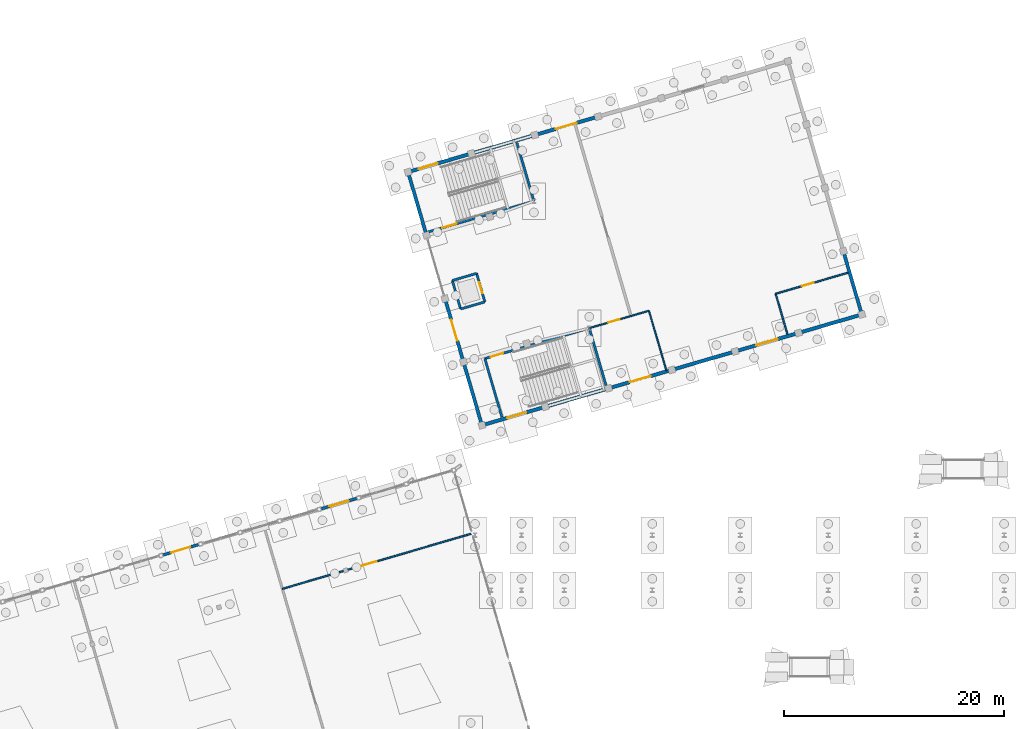
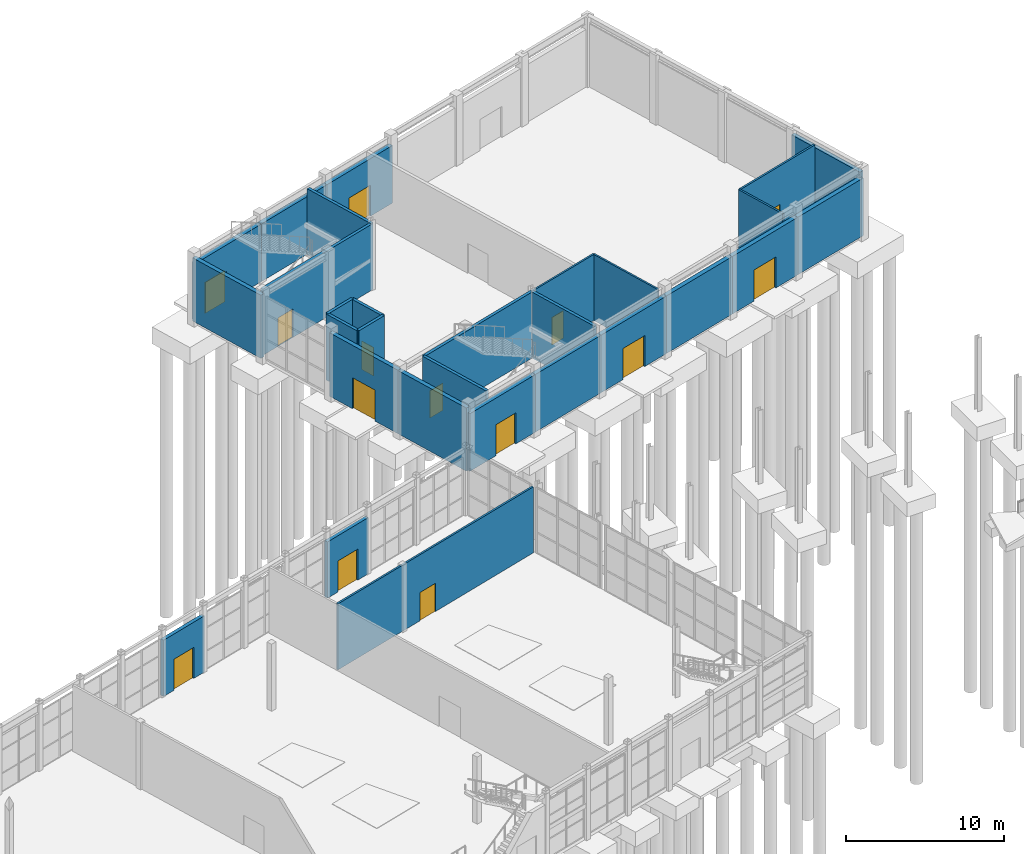
# One storey, part 74 of 90: 29 walls, 14 doors, 14 openings.
"""IFC4 building model written with IfcOpenShell, lengths in metres."""

from ifc_helpers import new_model, si_unit, direction, frame, frame_2d, origin, place, context, subcontext, project, spatial, rectangle, extrude, material, layer, layer_set, type_object, element, fill, save


model = new_model("IFC4")

# Units and contexts
model_context = context("Model", 3, precision=1e-05, world=origin(), true_north=direction((0.0, 1.0)))
body_context = subcontext(model_context, "Body", "Model", "MODEL_VIEW")
ifc_project = project(units=[si_unit("LENGTHUNIT", "METRE"), si_unit("AREAUNIT", "SQUARE_METRE"), si_unit("VOLUMEUNIT", "CUBIC_METRE"), si_unit("PLANEANGLEUNIT", "RADIAN"), si_unit("MASSUNIT", "GRAM", prefix="KILO")], contexts=[model_context])

# Site, building, storey
site_placement = place(None, origin())
site = spatial("IfcSite", under=ifc_project, at=site_placement, CompositionType="ELEMENT")
building_placement = place(site_placement, origin())
building = spatial("IfcBuilding", under=site, at=building_placement, Name="Canggui Botanical Conservatory", CompositionType="ELEMENT")
storey_placement = place(building_placement, origin())
storey = spatial("IfcBuildingStorey", under=building, at=storey_placement, Name="L01", CompositionType="ELEMENT", Elevation=0.0)

# Wall, opening, door
ifc_material_1 = material(Name="Precast Concrete C40", Category="concrete")
ifc_layer_1 = layer(ifc_material_1, 0.260009765625, Name="Precast Concrete C40", Category="concrete")
ifc_layer_set_1 = layer_set([ifc_layer_1], Name="Precast Concrete C40")
wall_type_1 = type_object("IfcWallType", Name="EW-260", PredefinedType="STANDARD", material=ifc_layer_set_1)
wall_1_placement = place(storey_placement, frame((36.800048828125, 78.14990234375, 0.0), z_axis=(0.0, 0.0, 1.0), x_axis=(0.959993437014, 0.280022500685, 0.0)))
wall_1 = element("IfcWall", 1, at=wall_1_placement, inside=storey, type_object=wall_type_1, Name="Conservatory Entrance Portal Wall V1-8", PredefinedType="STANDARD", context=body_context, shape_type="SweptSolid", body=[
    extrude(rectangle(XDim=3.749755859375, YDim=0.260009765625, at=frame_2d((1.875, 0.0))), origin(), (0.0, 0.0, 1.0), 4.35009765625),
])
opening_1_placement = place(wall_1_placement, frame((0.97509765625, 0.0, 0.0)))
opening_1 = element("IfcOpeningElement", 2, at=opening_1_placement, cuts=wall_1, Name="Opening EX-B", PredefinedType="OPENING", context=body_context, shape_type="SweptSolid", body=[
    extrude(rectangle(XDim=1.800048828125, YDim=2.39990234375, at=frame_2d((0.89990234375, 1.199951171875))), frame((0.0, 0.14013671875, 0.0), z_axis=(0.0, -1.0, 0.0), x_axis=(1.0, 0.0, 0.0)), (0.0, 0.0, 1.0), 0.280029296875),
])
ifc_material_2 = material(Name="Anodised Aluminium", Category="aluminium")
door_type_1 = type_object("IfcDoorType", Name="EDR-EX18", OperationType="NOTDEFINED", PredefinedType="DOOR", material=ifc_material_2)
door_1_placement = place(opening_1_placement, origin())
door_1 = element("IfcDoor", 3, at=door_1_placement, inside=storey, type_object=door_type_1, Name="Conservatory Biome Exit Door EX-18", OperationType="DOUBLE_DOOR_SINGLE_SWING", OverallHeight=2.39990234375, OverallWidth=1.800048828125, PredefinedType="DOOR", context=body_context, shape_type="SweptSolid", body=[
    extrude(rectangle(XDim=1.800048828125, YDim=2.39990234375, at=frame_2d((0.89990234375, 1.199951171875))), frame((0.0, 0.02490234375, 0.0), z_axis=(0.0, -1.0, 0.0), x_axis=(1.0, 0.0, 0.0)), (0.0, 0.0, 1.0), 0.050048828125),
])
fill(opening_1, door_1)

wall_2_placement = place(storey_placement, frame((51.199951171875, 82.35009765625, 0.0), z_axis=(0.0, 0.0, 1.0), x_axis=(0.960016039924, 0.279945000113, 0.0)))
wall_2 = element("IfcWall", 4, at=wall_2_placement, inside=storey, type_object=wall_type_1, Name="Conservatory Entrance Portal Wall V1-12", PredefinedType="STANDARD", context=body_context, shape_type="SweptSolid", body=[
    extrude(rectangle(XDim=3.75, YDim=0.260009765625, at=frame_2d((1.875, 0.0))), origin(), (0.0, 0.0, 1.0), 4.35009765625),
])
opening_2_placement = place(wall_2_placement, frame((0.97509765625, 0.0, 0.0)))
opening_2 = element("IfcOpeningElement", 5, at=opening_2_placement, cuts=wall_2, Name="Opening EX-B", PredefinedType="OPENING", context=body_context, shape_type="SweptSolid", body=[
    extrude(rectangle(XDim=1.800048828125, YDim=2.39990234375, at=frame_2d((0.89990234375, 1.199951171875))), frame((0.0, 0.14013671875, 0.0), z_axis=(0.0, -1.0, 0.0), x_axis=(1.0, 0.0, 0.0)), (0.0, 0.0, 1.0), 0.280029296875),
])
door_2_placement = place(opening_2_placement, origin())
door_2 = element("IfcDoor", 6, at=door_2_placement, inside=storey, type_object=door_type_1, Name="Conservatory Biome Exit Door EX-19", OperationType="DOUBLE_DOOR_SINGLE_SWING", OverallHeight=2.39990234375, OverallWidth=1.800048828125, PredefinedType="DOOR", context=body_context, shape_type="SweptSolid", body=[
    extrude(rectangle(XDim=1.800048828125, YDim=2.39990234375, at=frame_2d((0.89990234375, 1.199951171875))), frame((0.0, 0.02490234375, 0.0), z_axis=(0.0, -1.0, 0.0), x_axis=(1.0, 0.0, 0.0)), (0.0, 0.0, 1.0), 0.050048828125),
])
fill(opening_2, door_2)

# Wall
ifc_layer_2 = layer(ifc_material_1, 0.300048828125, Name="Precast Concrete C40", Category="concrete")
ifc_layer_set_2 = layer_set([ifc_layer_2], Name="Precast Concrete C40")
wall_type_2 = type_object("IfcWallType", Name="EW-300", PredefinedType="STANDARD", material=ifc_layer_set_2)
wall_3_placement = place(storey_placement, frame((66.0, 90.0, 0.0), z_axis=(0.0, 0.0, 1.0), x_axis=(-0.279989062464, 0.960003190047, 0.0)))
element("IfcWall", 7, at=wall_3_placement, inside=storey, type_object=wall_type_2, Name="Auditorium End Wall L01-W-0", PredefinedType="STANDARD", context=body_context, shape_type="SweptSolid", body=[
    extrude(rectangle(XDim=6.0, YDim=0.300048828125, at=frame_2d((3.0, 0.0))), origin(), (0.0, 0.0, 1.0), 4.8798828125),
])

# Wall, opening, door
wall_4_placement = place(storey_placement, frame((64.320068359375, 95.760009765625, 0.0), z_axis=(0.0, 0.0, 1.0), x_axis=(-0.280026562133, 0.959992252312, 0.0)))
wall_4 = element("IfcWall", 8, at=wall_4_placement, inside=storey, type_object=wall_type_2, Name="Auditorium Foyer Main Entrance Wall", PredefinedType="STANDARD", context=body_context, shape_type="SweptSolid", body=[
    extrude(rectangle(XDim=6.0, YDim=0.300048828125, at=frame_2d((3.0, 0.0))), origin(), (0.0, 0.0, 1.0), 4.89990234375),
])
opening_3_placement = place(wall_4_placement, frame((2.0, 0.0, 0.0)))
opening_3 = element("IfcOpeningElement", 9, at=opening_3_placement, cuts=wall_4, Name="Opening EX-A", PredefinedType="OPENING", context=body_context, shape_type="SweptSolid", body=[
    extrude(rectangle(XDim=2.0, YDim=2.39990234375, at=frame_2d((1.0, 1.199951171875))), frame((0.0, 0.16015625, 0.0), z_axis=(0.0, -1.0, 0.0), x_axis=(1.0, 0.0, 0.0)), (0.0, 0.0, 1.0), 0.320068359375),
])
door_type_2 = type_object("IfcDoorType", Name="EDR-EX20", OperationType="NOTDEFINED", PredefinedType="DOOR", material=ifc_material_2)
door_3_placement = place(opening_3_placement, origin())
door_3 = element("IfcDoor", 10, at=door_3_placement, inside=storey, type_object=door_type_2, Name="Auditorium Foyer Main Exit Door EX-26", OperationType="DOUBLE_DOOR_SINGLE_SWING", OverallHeight=2.39990234375, OverallWidth=2.0, PredefinedType="DOOR", context=body_context, shape_type="SweptSolid", body=[
    extrude(rectangle(XDim=2.0, YDim=2.39990234375, at=frame_2d((1.0, 1.199951171875))), frame((0.0, 0.02490234375, 0.0), z_axis=(0.0, -1.0, 0.0), x_axis=(1.0, 0.0, 0.0)), (0.0, 0.0, 1.0), 0.050048828125),
])
fill(opening_3, door_3)

# Walls
for number, where, z_axis, x_axis, name in (
    (11, (60.9599609375, 107.280029296875, 0.0), (0.0, 0.0, 1.0), (-0.279989062464, 0.960003190047, 0.0), "Auditorium End Wall L01-W-3"),
    (12, (98.8798828125, 105.840087890625, 0.0), (0.0, 0.0, 1.0), (0.280026562133, -0.959992252312, 0.0), "Auditorium End Wall L01-E-0"),
):
    element("IfcWall", number, at=place(storey_placement, frame(where, z_axis=z_axis, x_axis=x_axis)), inside=storey, type_object=wall_type_2, Name=name, PredefinedType="STANDARD", context=body_context, shape_type="SweptSolid", body=[
        extrude(rectangle(XDim=6.0, YDim=0.300048828125, at=frame_2d((3.0, 0.0))), origin(), (0.0, 0.0, 1.0), 4.8798828125),
    ])

# Wall, opening, door
ifc_layer_3 = layer(ifc_material_1, 0.320068359375, Name="Precast Concrete C40", Category="concrete")
ifc_layer_set_3 = layer_set([ifc_layer_3], Name="Precast Concrete C40")
wall_type_3 = type_object("IfcWallType", Name="EW-320", PredefinedType="STANDARD", material=ifc_layer_set_3)
wall_5_placement = place(storey_placement, frame((71.760009765625, 91.679931640625, 0.0), z_axis=(0.0, 0.0, 1.0), x_axis=(-0.960003190047, -0.279989062464, 0.0)))
wall_5 = element("IfcWall", 13, at=wall_5_placement, inside=storey, type_object=wall_type_3, Name="Auditorium Acoustic Exterior Wall L01-V0-0", PredefinedType="STANDARD", context=body_context, shape_type="SweptSolid", body=[
    extrude(rectangle(XDim=6.0, YDim=0.320068359375, at=frame_2d((3.0, 0.0))), origin(), (0.0, 0.0, 1.0), 4.449951171875),
])
opening_4_placement = place(wall_5_placement, frame((1.800048828125, 0.0, 0.0)))
opening_4 = element("IfcOpeningElement", 14, at=opening_4_placement, cuts=wall_5, Name="Opening EX-B", PredefinedType="OPENING", context=body_context, shape_type="SweptSolid", body=[
    extrude(rectangle(XDim=1.800048828125, YDim=2.39990234375, at=frame_2d((0.89990234375, 1.199951171875))), frame((0.0, 0.169921875, 0.0), z_axis=(0.0, -1.0, 0.0), x_axis=(1.0, 0.0, 0.0)), (0.0, 0.0, 1.0), 0.340087890625),
])
door_4_placement = place(opening_4_placement, origin())
door_4 = element("IfcDoor", 15, at=door_4_placement, inside=storey, type_object=door_type_1, Name="Auditorium Balcony Stair Direct Exit Door EX-20", OperationType="DOUBLE_DOOR_SINGLE_SWING", OverallHeight=2.39990234375, OverallWidth=1.800048828125, PredefinedType="DOOR", context=body_context, shape_type="SweptSolid", body=[
    extrude(rectangle(XDim=1.800048828125, YDim=2.39990234375, at=frame_2d((0.89990234375, 1.199951171875))), frame((0.0, 0.02490234375, 0.0), z_axis=(0.0, -1.0, 0.0), x_axis=(1.0, 0.0, 0.0)), (0.0, 0.0, 1.0), 0.050048828125),
])
fill(opening_4, door_4)

# Wall
wall_6_placement = place(storey_placement, frame((77.52001953125, 93.360107421875, 0.0), z_axis=(0.0, 0.0, 1.0), x_axis=(-0.959992252312, -0.280026562133, 0.0)))
element("IfcWall", 16, at=wall_6_placement, inside=storey, type_object=wall_type_3, Name="Auditorium Acoustic Exterior Wall L01-V0-1", PredefinedType="STANDARD", context=body_context, shape_type="SweptSolid", body=[
    extrude(rectangle(XDim=6.0, YDim=0.320068359375, at=frame_2d((3.0, 0.0))), origin(), (0.0, 0.0, 1.0), 4.449951171875),
])

# Wall, opening, door
wall_7_placement = place(storey_placement, frame((83.280029296875, 95.0400390625, 0.0), z_axis=(0.0, 0.0, 1.0), x_axis=(-0.960003190047, -0.279989062464, 0.0)))
wall_7 = element("IfcWall", 17, at=wall_7_placement, inside=storey, type_object=wall_type_3, Name="Auditorium Acoustic Exterior Wall L01-V0-2", PredefinedType="STANDARD", context=body_context, shape_type="SweptSolid", body=[
    extrude(rectangle(XDim=6.0, YDim=0.320068359375, at=frame_2d((3.0, 0.0))), origin(), (0.0, 0.0, 1.0), 4.449951171875),
])
opening_5_placement = place(wall_7_placement, frame((2.0, 0.0, 0.0)))
opening_5 = element("IfcOpeningElement", 18, at=opening_5_placement, cuts=wall_7, Name="Opening EX-A", PredefinedType="OPENING", context=body_context, shape_type="SweptSolid", body=[
    extrude(rectangle(XDim=2.0, YDim=2.39990234375, at=frame_2d((1.0, 1.199951171875))), frame((0.0, 0.169921875, 0.0), z_axis=(0.0, -1.0, 0.0), x_axis=(1.0, 0.0, 0.0)), (0.0, 0.0, 1.0), 0.340087890625),
])
door_5_placement = place(opening_5_placement, origin())
door_5 = element("IfcDoor", 19, at=door_5_placement, inside=storey, type_object=door_type_2, Name="Auditorium Emergency Exit Door EX-21", OperationType="DOUBLE_DOOR_SINGLE_SWING", OverallHeight=2.39990234375, OverallWidth=2.0, PredefinedType="DOOR", context=body_context, shape_type="SweptSolid", body=[
    extrude(rectangle(XDim=2.0, YDim=2.39990234375, at=frame_2d((1.0, 1.199951171875))), frame((0.0, 0.02490234375, 0.0), z_axis=(0.0, -1.0, 0.0), x_axis=(1.0, 0.0, 0.0)), (0.0, 0.0, 1.0), 0.050048828125),
])
fill(opening_5, door_5)

# Wall
wall_8_placement = place(storey_placement, frame((89.0400390625, 96.719970703125, 0.0), z_axis=(0.0, 0.0, 1.0), x_axis=(-0.960003190047, -0.279989062464, 0.0)))
element("IfcWall", 20, at=wall_8_placement, inside=storey, type_object=wall_type_3, Name="Auditorium Acoustic Exterior Wall L01-V0-3", PredefinedType="STANDARD", context=body_context, shape_type="SweptSolid", body=[
    extrude(rectangle(XDim=6.0, YDim=0.320068359375, at=frame_2d((3.0, 0.0))), origin(), (0.0, 0.0, 1.0), 4.449951171875),
])

# Wall, opening, door
wall_9_placement = place(storey_placement, frame((94.800048828125, 98.39990234375, 0.0), z_axis=(0.0, 0.0, 1.0), x_axis=(-0.960003190047, -0.279989062464, 0.0)))
wall_9 = element("IfcWall", 21, at=wall_9_placement, inside=storey, type_object=wall_type_3, Name="Auditorium Acoustic Exterior Wall L01-V0-4", PredefinedType="STANDARD", context=body_context, shape_type="SweptSolid", body=[
    extrude(rectangle(XDim=6.0, YDim=0.320068359375, at=frame_2d((3.0, 0.0))), origin(), (0.0, 0.0, 1.0), 4.449951171875),
])
opening_6_placement = place(wall_9_placement, frame((2.0, 0.0, 0.0)))
opening_6 = element("IfcOpeningElement", 22, at=opening_6_placement, cuts=wall_9, Name="Opening EX-A", PredefinedType="OPENING", context=body_context, shape_type="SweptSolid", body=[
    extrude(rectangle(XDim=2.0, YDim=2.39990234375, at=frame_2d((1.0, 1.199951171875))), frame((0.0, 0.169921875, 0.0), z_axis=(0.0, -1.0, 0.0), x_axis=(1.0, 0.0, 0.0)), (0.0, 0.0, 1.0), 0.340087890625),
])
door_6_placement = place(opening_6_placement, origin())
door_6 = element("IfcDoor", 23, at=door_6_placement, inside=storey, type_object=door_type_2, Name="Auditorium Emergency Exit Door EX-22", OperationType="DOUBLE_DOOR_SINGLE_SWING", OverallHeight=2.39990234375, OverallWidth=2.0, PredefinedType="DOOR", context=body_context, shape_type="SweptSolid", body=[
    extrude(rectangle(XDim=2.0, YDim=2.39990234375, at=frame_2d((1.0, 1.199951171875))), frame((0.0, 0.02490234375, 0.0), z_axis=(0.0, -1.0, 0.0), x_axis=(1.0, 0.0, 0.0)), (0.0, 0.0, 1.0), 0.050048828125),
])
fill(opening_6, door_6)

# Wall
wall_10_placement = place(storey_placement, frame((100.56005859375, 100.080078125, 0.0), z_axis=(0.0, 0.0, 1.0), x_axis=(-0.959992252312, -0.280026562133, 0.0)))
element("IfcWall", 24, at=wall_10_placement, inside=storey, type_object=wall_type_3, Name="Auditorium Acoustic Exterior Wall L01-V0-5", PredefinedType="STANDARD", context=body_context, shape_type="SweptSolid", body=[
    extrude(rectangle(XDim=6.0, YDim=0.320068359375, at=frame_2d((3.0, 0.0))), origin(), (0.0, 0.0, 1.0), 4.449951171875),
])

# Wall, opening, door
wall_11_placement = place(storey_placement, frame((59.280029296875, 113.0400390625, 0.0), z_axis=(0.0, 0.0, 1.0), x_axis=(0.960003190047, 0.279989062464, 0.0)))
wall_11 = element("IfcWall", 25, at=wall_11_placement, inside=storey, type_object=wall_type_3, Name="Auditorium Acoustic Exterior Wall L01-V1-0", PredefinedType="STANDARD", context=body_context, shape_type="SweptSolid", body=[
    extrude(rectangle(XDim=6.0, YDim=0.320068359375, at=frame_2d((3.0, 0.0))), origin(), (0.0, 0.0, 1.0), 4.449951171875),
])
opening_7_placement = place(wall_11_placement, frame((1.0, 0.0, 0.0)))
opening_7 = element("IfcOpeningElement", 26, at=opening_7_placement, cuts=wall_11, Name="Opening EX-B", PredefinedType="OPENING", context=body_context, shape_type="SweptSolid", body=[
    extrude(rectangle(XDim=1.800048828125, YDim=2.39990234375, at=frame_2d((0.89990234375, 1.199951171875))), frame((0.0, 0.169921875, 0.0), z_axis=(0.0, -1.0, 0.0), x_axis=(1.0, 0.0, 0.0)), (0.0, 0.0, 1.0), 0.340087890625),
])
door_7_placement = place(opening_7_placement, origin())
door_7 = element("IfcDoor", 27, at=door_7_placement, inside=storey, type_object=door_type_1, Name="Auditorium Balcony Stair Direct Exit Door EX-23", OperationType="DOUBLE_DOOR_SINGLE_SWING", OverallHeight=2.39990234375, OverallWidth=1.800048828125, PredefinedType="DOOR", context=body_context, shape_type="SweptSolid", body=[
    extrude(rectangle(XDim=1.800048828125, YDim=2.39990234375, at=frame_2d((0.89990234375, 1.199951171875))), frame((0.0, 0.02490234375, 0.0), z_axis=(0.0, -1.0, 0.0), x_axis=(1.0, 0.0, 0.0)), (0.0, 0.0, 1.0), 0.050048828125),
])
fill(opening_7, door_7)

# Wall
wall_12_placement = place(storey_placement, frame((65.0400390625, 114.719970703125, 0.0), z_axis=(0.0, 0.0, 1.0), x_axis=(0.960003190047, 0.279989062464, 0.0)))
element("IfcWall", 28, at=wall_12_placement, inside=storey, type_object=wall_type_3, Name="Auditorium Acoustic Exterior Wall L01-V1-1", PredefinedType="STANDARD", context=body_context, shape_type="SweptSolid", body=[
    extrude(rectangle(XDim=6.0, YDim=0.320068359375, at=frame_2d((3.0, 0.0))), origin(), (0.0, 0.0, 1.0), 4.449951171875),
])

# Wall, opening, door
wall_13_placement = place(storey_placement, frame((70.800048828125, 116.39990234375, 0.0), z_axis=(0.0, 0.0, 1.0), x_axis=(0.959992252312, 0.280026562133, 0.0)))
wall_13 = element("IfcWall", 29, at=wall_13_placement, inside=storey, type_object=wall_type_3, Name="Auditorium Acoustic Exterior Wall L01-V1-2", PredefinedType="STANDARD", context=body_context, shape_type="SweptSolid", body=[
    extrude(rectangle(XDim=6.0, YDim=0.320068359375, at=frame_2d((3.0, 0.0))), origin(), (0.0, 0.0, 1.0), 4.449951171875),
])
opening_8_placement = place(wall_13_placement, frame((2.0, 0.0, 0.0)))
opening_8 = element("IfcOpeningElement", 30, at=opening_8_placement, cuts=wall_13, Name="Opening EX-A", PredefinedType="OPENING", context=body_context, shape_type="SweptSolid", body=[
    extrude(rectangle(XDim=2.0, YDim=2.39990234375, at=frame_2d((1.0, 1.199951171875))), frame((0.0, 0.169921875, 0.0), z_axis=(0.0, -1.0, 0.0), x_axis=(1.0, 0.0, 0.0)), (0.0, 0.0, 1.0), 0.340087890625),
])
door_8_placement = place(opening_8_placement, origin())
door_8 = element("IfcDoor", 31, at=door_8_placement, inside=storey, type_object=door_type_2, Name="Auditorium Emergency Exit Door EX-24", OperationType="DOUBLE_DOOR_SINGLE_SWING", OverallHeight=2.39990234375, OverallWidth=2.0, PredefinedType="DOOR", context=body_context, shape_type="SweptSolid", body=[
    extrude(rectangle(XDim=2.0, YDim=2.39990234375, at=frame_2d((1.0, 1.199951171875))), frame((0.0, 0.02490234375, 0.0), z_axis=(0.0, -1.0, 0.0), x_axis=(1.0, 0.0, 0.0)), (0.0, 0.0, 1.0), 0.050048828125),
])
fill(opening_8, door_8)

ifc_material_3 = material(Name="Gypsum Plasterboard Partition")
ifc_layer_4 = layer(ifc_material_3, 0.139892578125, Name="Gypsum Plasterboard Partition")
ifc_layer_set_4 = layer_set([ifc_layer_4], Name="Gypsum Plasterboard Partition")
wall_type_4 = type_object("IfcWallType", Name="IW-PART-140", PredefinedType="STANDARD", material=ifc_layer_set_4)
wall_14_placement = place(storey_placement, frame((47.840087890625, 75.1201171875, 0.0), z_axis=(0.0, 0.0, 1.0), x_axis=(0.960000764644, 0.279997378352, 0.0)))
wall_14 = element("IfcWall", 32, at=wall_14_placement, inside=storey, type_object=wall_type_4, Name="Conservatory Acclimatisation Nursery Partition", PredefinedType="STANDARD", context=body_context, shape_type="SweptSolid", body=[
    extrude(rectangle(XDim=17.8798828125, YDim=0.139892578125, at=frame_2d((8.93994140625, 0.0))), origin(), (0.0, 0.0, 1.0), 5.10009765625),
])
opening_9_placement = place(wall_14_placement, frame((7.5, 0.0, 0.0)))
opening_9 = element("IfcOpeningElement", 33, at=opening_9_placement, cuts=wall_14, Name="Opening ID-12", PredefinedType="OPENING", context=body_context, shape_type="SweptSolid", body=[
    extrude(rectangle(XDim=1.419921875, YDim=2.179931640625, at=frame_2d((0.7099609375, 1.08984375))), frame((0.0, 0.080078125, 0.0), z_axis=(0.0, -1.0, 0.0), x_axis=(1.0, 0.0, 0.0)), (0.0, 0.0, 1.0), 0.159912109375),
])
ifc_material_4 = material(Name="Engineered Timber Veneer", Category="wood")
door_type_3 = type_object("IfcDoorType", Name="ID-12", OperationType="NOTDEFINED", PredefinedType="DOOR", material=ifc_material_4)
door_9_placement = place(opening_9_placement, origin())
door_9 = element("IfcDoor", 34, at=door_9_placement, inside=storey, type_object=door_type_3, Name="Interior Door IW-CONS-NURS", OperationType="SINGLE_SWING_LEFT", OverallHeight=2.179931640625, OverallWidth=1.419921875, PredefinedType="DOOR", context=body_context, shape_type="SweptSolid", body=[
    extrude(rectangle(XDim=1.419921875, YDim=2.179931640625, at=frame_2d((0.7099609375, 1.08984375))), frame((0.0, 0.02490234375, 0.0), z_axis=(0.0, -1.0, 0.0), x_axis=(1.0, 0.0, 0.0)), (0.0, 0.0, 1.0), 0.050048828125),
])
fill(opening_9, door_9)

wall_15_placement = place(storey_placement, frame((92.719970703125, 101.9599609375, 0.0), z_axis=(0.0, 0.0, 1.0), x_axis=(0.960000399182, 0.279998631371, 0.0)))
wall_15 = element("IfcWall", 35, at=wall_15_placement, inside=storey, type_object=wall_type_4, Name="Speaker Preparation Room Partition", PredefinedType="STANDARD", context=body_context, shape_type="SweptSolid", body=[
    extrude(rectangle(XDim=6.849853515625, YDim=0.139892578125, at=frame_2d((3.4248046875, 0.0))), origin(), (0.0, 0.0, 1.0), 5.10009765625),
])
opening_10_placement = place(wall_15_placement, frame((2.5, 0.0, 0.0)))
opening_10 = element("IfcOpeningElement", 36, at=opening_10_placement, cuts=wall_15, Name="Opening ID-06", PredefinedType="OPENING", context=body_context, shape_type="SweptSolid", body=[
    extrude(rectangle(XDim=1.1201171875, YDim=2.1201171875, at=frame_2d((0.56005859375, 1.06005859375))), frame((0.0, 0.080078125, 0.0), z_axis=(0.0, -1.0, 0.0), x_axis=(1.0, 0.0, 0.0)), (0.0, 0.0, 1.0), 0.159912109375),
])
door_type_4 = type_object("IfcDoorType", Name="ID-06", OperationType="NOTDEFINED", PredefinedType="DOOR", material=ifc_material_4)
door_10_placement = place(opening_10_placement, origin())
door_10 = element("IfcDoor", 37, at=door_10_placement, inside=storey, type_object=door_type_4, Name="Interior Door IW-AUD-GRN", OperationType="SINGLE_SWING_RIGHT", OverallHeight=2.1201171875, OverallWidth=1.1201171875, PredefinedType="DOOR", context=body_context, shape_type="SweptSolid", body=[
    extrude(rectangle(XDim=1.1201171875, YDim=2.1201171875, at=frame_2d((0.56005859375, 1.06005859375))), frame((0.0, 0.02490234375, 0.0), z_axis=(0.0, -1.0, 0.0), x_axis=(1.0, 0.0, 0.0)), (0.0, 0.0, 1.0), 0.050048828125),
])
fill(opening_10, door_10)

# Walls
wall_16_placement = place(storey_placement, frame((93.795166015625, 98.273681640625, 0.0), z_axis=(0.0, 0.0, 1.0), x_axis=(-0.280007324434, 0.959997863676, 0.0)))
element("IfcWall", 38, at=wall_16_placement, inside=storey, type_object=wall_type_4, Name="Speaker Preparation Room West Wall", PredefinedType="STANDARD", context=body_context, shape_type="SweptSolid", body=[
    extrude(rectangle(XDim=3.83984375, YDim=0.139892578125, at=frame_2d((1.919921875, 0.0))), origin(), (0.0, 0.0, 1.0), 5.10009765625),
])
ifc_material_5 = material(Name="Concrete C35", Category="concrete")
ifc_layer_5 = layer(ifc_material_5, 0.215087890625, Name="Concrete C35", Category="concrete")
ifc_layer_set_5 = layer_set([ifc_layer_5], Name="Concrete C35")
wall_type_5 = type_object("IfcWallType", Name="IW-SHAFT-215", PredefinedType="STANDARD", material=ifc_layer_set_5)
wall_17_placement = place(storey_placement, frame((67.81591796875, 90.738037109375, 0.0), z_axis=(0.0, 0.0, 1.0), x_axis=(-0.279998310772, 0.96000049269, 0.0)))
element("IfcWall", 39, at=wall_17_placement, inside=storey, type_object=wall_type_5, Name="ST-A1 Shaft West Wall L01", PredefinedType="STANDARD", context=body_context, shape_type="SweptSolid", body=[
    extrude(rectangle(XDim=5.5498046875, YDim=0.215087890625, at=frame_2d((2.77490234375, 0.0))), origin(), (0.0, 0.0, 1.0), 5.10009765625),
])

# Wall, opening, door
wall_18_placement = place(storey_placement, frame((66.261962890625, 96.06591796875, 0.0), z_axis=(0.0, 0.0, 1.0), x_axis=(0.960001933347, 0.279993371297, 0.0)))
wall_18 = element("IfcWall", 40, at=wall_18_placement, inside=storey, type_object=wall_type_5, Name="ST-A1 Shaft Foyer Wall L01", PredefinedType="STANDARD", context=body_context, shape_type="SweptSolid", body=[
    extrude(rectangle(XDim=9.900146484375, YDim=0.215087890625, at=frame_2d((4.9501953125, 0.0))), origin(), (0.0, 0.0, 1.0), 5.10009765625),
])
opening_11_placement = place(wall_18_placement, frame((0.550048828125, 0.0, 0.0)))
opening_11 = element("IfcOpeningElement", 41, at=opening_11_placement, cuts=wall_18, Name="Opening FD-07", PredefinedType="OPENING", context=body_context, shape_type="SweptSolid", body=[
    extrude(rectangle(XDim=1.199951171875, YDim=2.10009765625, at=frame_2d((0.60009765625, 1.050048828125))), frame((0.0, 0.11767578125, 0.0), z_axis=(0.0, -1.0, 0.0), x_axis=(1.0, 0.0, 0.0)), (0.0, 0.0, 1.0), 0.235107421875),
])
ifc_material_6 = material(Name="Powder-Coated Steel", Category="steel")
door_type_5 = type_object("IfcDoorType", Name="FD-07", OperationType="NOTDEFINED", PredefinedType="DOOR", material=ifc_material_6)
door_11_placement = place(opening_11_placement, origin())
door_11 = element("IfcDoor", 42, at=door_11_placement, inside=storey, type_object=door_type_5, Name="Auditorium Stair ST-A1 Door L01", OperationType="SINGLE_SWING_LEFT", OverallHeight=2.10009765625, OverallWidth=1.199951171875, PredefinedType="DOOR", context=body_context, shape_type="SweptSolid", body=[
    extrude(rectangle(XDim=1.199951171875, YDim=2.10009765625, at=frame_2d((0.60009765625, 1.050048828125))), frame((0.0, 0.02490234375, 0.0), z_axis=(0.0, -1.0, 0.0), x_axis=(1.0, 0.0, 0.0)), (0.0, 0.0, 1.0), 0.050048828125),
])
fill(opening_11, door_11)

# Wall
wall_19_placement = place(storey_placement, frame((77.320068359375, 93.510009765625, 0.0), z_axis=(0.0, 0.0, 1.0), x_axis=(-0.279998310772, 0.96000049269, 0.0)))
element("IfcWall", 43, at=wall_19_placement, inside=storey, type_object=wall_type_5, Name="ST-A1 Shaft East Wall L01", PredefinedType="STANDARD", context=body_context, shape_type="SweptSolid", body=[
    extrude(rectangle(XDim=5.5498046875, YDim=0.215087890625, at=frame_2d((2.77490234375, 0.0))), origin(), (0.0, 0.0, 1.0), 5.10009765625),
])

# Wall, opening, door
wall_20_placement = place(storey_placement, frame((61.08203125, 107.575927734375, 0.0), z_axis=(0.0, 0.0, 1.0), x_axis=(0.960000544156, 0.279998134317, 0.0)))
wall_20 = element("IfcWall", 44, at=wall_20_placement, inside=storey, type_object=wall_type_5, Name="ST-A2 Shaft Foyer Wall L01", PredefinedType="STANDARD", context=body_context, shape_type="SweptSolid", body=[
    extrude(rectangle(XDim=10.050048828125, YDim=0.215087890625, at=frame_2d((5.02490234375, 0.0))), origin(), (0.0, 0.0, 1.0), 5.10009765625),
])
opening_12_placement = place(wall_20_placement, frame((1.35009765625, 0.0, 0.0)))
opening_12 = element("IfcOpeningElement", 45, at=opening_12_placement, cuts=wall_20, Name="Opening FD-11", PredefinedType="OPENING", context=body_context, shape_type="SweptSolid", body=[
    extrude(rectangle(XDim=1.39990234375, YDim=2.199951171875, at=frame_2d((0.699951171875, 1.10009765625))), frame((0.0, 0.11767578125, 0.0), z_axis=(0.0, -1.0, 0.0), x_axis=(1.0, 0.0, 0.0)), (0.0, 0.0, 1.0), 0.235107421875),
])
door_type_6 = type_object("IfcDoorType", Name="FD-11", OperationType="NOTDEFINED", PredefinedType="DOOR", material=ifc_material_6)
door_12_placement = place(opening_12_placement, origin())
door_12 = element("IfcDoor", 46, at=door_12_placement, inside=storey, type_object=door_type_6, Name="Auditorium Stair ST-A2 Door L01", OperationType="SINGLE_SWING_LEFT", OverallHeight=2.199951171875, OverallWidth=1.39990234375, PredefinedType="DOOR", context=body_context, shape_type="SweptSolid", body=[
    extrude(rectangle(XDim=1.39990234375, YDim=2.199951171875, at=frame_2d((0.699951171875, 1.10009765625))), frame((0.0, 0.02490234375, 0.0), z_axis=(0.0, -1.0, 0.0), x_axis=(1.0, 0.0, 0.0)), (0.0, 0.0, 1.0), 0.050048828125),
])
fill(opening_12, door_12)

# Walls
wall_21_placement = place(storey_placement, frame((70.72998046875, 110.389892578125, 0.0), z_axis=(0.0, 0.0, 1.0), x_axis=(-0.27998648672, 0.96000394127, 0.0)))
element("IfcWall", 47, at=wall_21_placement, inside=storey, type_object=wall_type_5, Name="ST-A2 Shaft East Wall L01", PredefinedType="STANDARD", context=body_context, shape_type="SweptSolid", body=[
    extrude(rectangle(XDim=5.550048828125, YDim=0.215087890625, at=frame_2d((2.77490234375, 0.0))), origin(), (0.0, 0.0, 1.0), 5.10009765625),
])
wall_22_placement = place(storey_placement, frame((64.06005859375, 100.580078125, 0.0), z_axis=(0.0, 0.0, 1.0), x_axis=(0.959995244467, 0.280016304169, 0.0)))
element("IfcWall", 48, at=wall_22_placement, inside=storey, type_object=wall_type_5, Name="Auditorium Lift PL-05 Shaft Wall L01-0", PredefinedType="STANDARD", context=body_context, shape_type="SweptSolid", body=[
    extrude(rectangle(XDim=2.300048828125, YDim=0.215087890625, at=frame_2d((1.14990234375, 0.0))), origin(), (0.0, 0.0, 1.0), 5.10009765625),
])

# Wall, opening, door
wall_23_placement = place(storey_placement, frame((66.26806640625, 101.22412109375, 0.0), z_axis=(0.0, 0.0, 1.0), x_axis=(-0.280055558503, 0.959983793692, 0.0)))
wall_23 = element("IfcWall", 49, at=wall_23_placement, inside=storey, type_object=wall_type_5, Name="Auditorium Lift PL-05 Shaft Wall L01-1", PredefinedType="STANDARD", context=body_context, shape_type="SweptSolid", body=[
    extrude(rectangle(XDim=2.699951171875, YDim=0.215087890625, at=frame_2d((1.35009765625, 0.0))), origin(), (0.0, 0.0, 1.0), 5.10009765625),
])
opening_13_placement = place(wall_23_placement, frame((0.824951171875, 0.0, 0.0)))
opening_13 = element("IfcOpeningElement", 50, at=opening_13_placement, cuts=wall_23, Name="Opening LD-02", PredefinedType="OPENING", context=body_context, shape_type="SweptSolid", body=[
    extrude(rectangle(XDim=1.050048828125, YDim=2.199951171875, at=frame_2d((0.52490234375, 1.10009765625))), frame((0.0, 0.11767578125, 0.0), z_axis=(0.0, -1.0, 0.0), x_axis=(1.0, 0.0, 0.0)), (0.0, 0.0, 1.0), 0.235107421875),
])
ifc_material_7 = material(Name="Stainless Steel 304", Category="steel")
door_type_7 = type_object("IfcDoorType", Name="LDR-02", OperationType="NOTDEFINED", PredefinedType="DOOR", material=ifc_material_7)
door_13_placement = place(opening_13_placement, origin())
door_13 = element("IfcDoor", 51, at=door_13_placement, inside=storey, type_object=door_type_7, Name="Auditorium Lift PL-05 Landing Door L01", OperationType="SLIDING_TO_LEFT", OverallHeight=2.199951171875, OverallWidth=1.050048828125, PredefinedType="DOOR", context=body_context, shape_type="SweptSolid", body=[
    extrude(rectangle(XDim=1.050048828125, YDim=2.199951171875, at=frame_2d((0.52490234375, 1.10009765625))), frame((0.0, 0.02490234375, 0.0), z_axis=(0.0, -1.0, 0.0), x_axis=(1.0, 0.0, 0.0)), (0.0, 0.0, 1.0), 0.050048828125),
])
fill(opening_13, door_13)

# Walls
wall_24_placement = place(storey_placement, frame((65.511962890625, 103.81591796875, 0.0), z_axis=(0.0, 0.0, 1.0), x_axis=(-0.960023774217, -0.279918475521, 0.0)))
element("IfcWall", 52, at=wall_24_placement, inside=storey, type_object=wall_type_5, Name="Auditorium Lift PL-05 Shaft Wall L01-2", PredefinedType="STANDARD", context=body_context, shape_type="SweptSolid", body=[
    extrude(rectangle(XDim=2.300048828125, YDim=0.215087890625, at=frame_2d((1.14990234375, 0.0))), origin(), (0.0, 0.0, 1.0), 5.10009765625),
])
wall_25_placement = place(storey_placement, frame((63.303955078125, 103.172119140625, 0.0), z_axis=(0.0, 0.0, 1.0), x_axis=(0.28003124906, -0.959990885139, 0.0)))
element("IfcWall", 53, at=wall_25_placement, inside=storey, type_object=wall_type_5, Name="Auditorium Lift PL-05 Shaft Wall L01-3", PredefinedType="STANDARD", context=body_context, shape_type="SweptSolid", body=[
    extrude(rectangle(XDim=2.699951171875, YDim=0.215087890625, at=frame_2d((1.35009765625, 0.0))), origin(), (0.0, 0.0, 1.0), 5.10009765625),
])

# Wall, opening, door
ifc_layer_6 = layer(ifc_material_3, 0.125, Name="Gypsum Plasterboard Partition")
ifc_layer_set_6 = layer_set([ifc_layer_6], Name="Gypsum Plasterboard Partition")
wall_type_6 = type_object("IfcWallType", Name="IW-WC-125", PredefinedType="STANDARD", material=ifc_layer_set_6)
wall_26_placement = place(storey_placement, frame((75.76611328125, 98.837890625, 0.0), z_axis=(0.0, 0.0, 1.0), x_axis=(0.95999612812, 0.280013274677, 0.0)))
wall_26 = element("IfcWall", 54, at=wall_26_placement, inside=storey, type_object=wall_type_6, Name="Auditorium Ground WC North Wall", PredefinedType="STANDARD", context=body_context, shape_type="SweptSolid", body=[
    extrude(rectangle(XDim=5.64990234375, YDim=0.125, at=frame_2d((2.824951171875, 0.0))), origin(), (0.0, 0.0, 1.0), 5.10009765625),
])
opening_14_placement = place(wall_26_placement, frame((1.800048828125, 0.0, 0.0)))
opening_14 = element("IfcOpeningElement", 55, at=opening_14_placement, cuts=wall_26, Name="Opening ID-05", PredefinedType="OPENING", context=body_context, shape_type="SweptSolid", body=[
    extrude(rectangle(XDim=1.06005859375, YDim=2.1201171875, at=frame_2d((0.530029296875, 1.06005859375))), frame((0.0, 0.072509765625, 0.0), z_axis=(0.0, -1.0, 0.0), x_axis=(1.0, 0.0, 0.0)), (0.0, 0.0, 1.0), 0.14501953125),
])
door_type_8 = type_object("IfcDoorType", Name="ID-05", OperationType="NOTDEFINED", PredefinedType="DOOR", material=ifc_material_4)
door_14_placement = place(opening_14_placement, origin())
door_14 = element("IfcDoor", 56, at=door_14_placement, inside=storey, type_object=door_type_8, Name="Interior Door IW-AUD-WC1", OperationType="SINGLE_SWING_LEFT", OverallHeight=2.1201171875, OverallWidth=1.06005859375, PredefinedType="DOOR", context=body_context, shape_type="SweptSolid", body=[
    extrude(rectangle(XDim=1.06005859375, YDim=2.1201171875, at=frame_2d((0.530029296875, 1.06005859375))), frame((0.0, 0.02490234375, 0.0), z_axis=(0.0, -1.0, 0.0), x_axis=(1.0, 0.0, 0.0)), (0.0, 0.0, 1.0), 0.050048828125),
])
fill(opening_14, door_14)

# Wall
wall_27_placement = place(storey_placement, frame((82.777587890625, 94.976806640625, 0.0), z_axis=(0.0, 0.0, 1.0), x_axis=(-0.280011574193, 0.959996624118, 0.0)))
element("IfcWall", 57, at=wall_27_placement, inside=storey, type_object=wall_type_6, Name="Auditorium Ground WC East Wall", PredefinedType="STANDARD", context=body_context, shape_type="SweptSolid", body=[
    extrude(rectangle(XDim=5.669921875, YDim=0.125, at=frame_2d((2.8349609375, 0.0))), origin(), (0.0, 0.0, 1.0), 5.10009765625),
])

save(model, "model.ifc")
